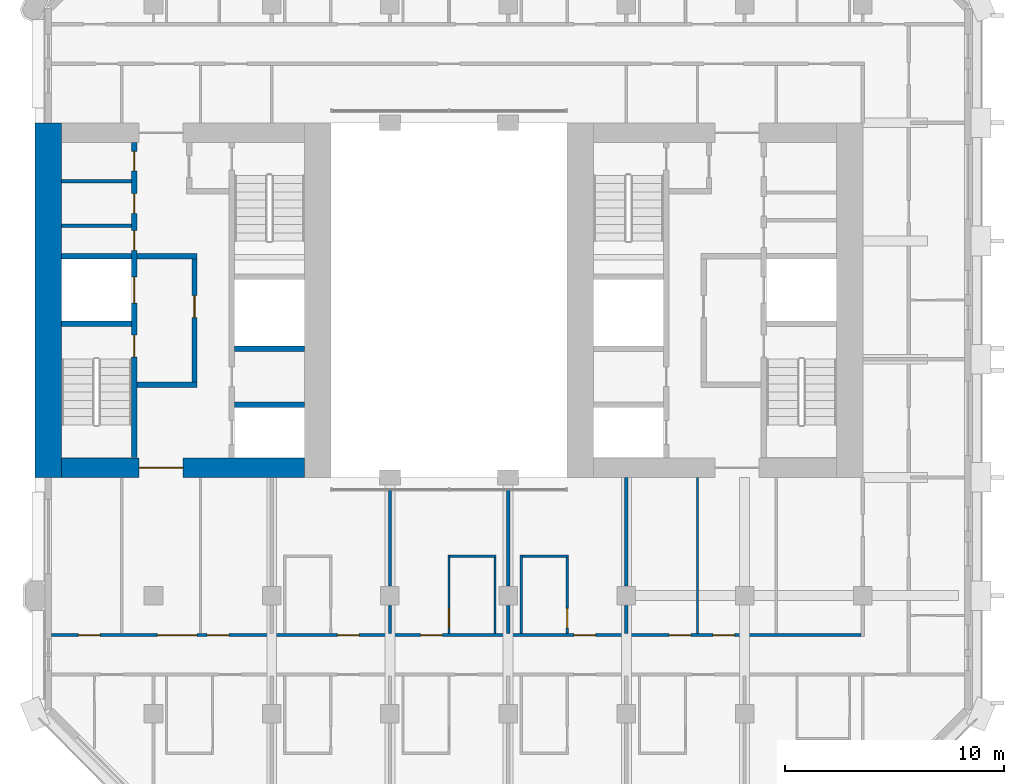
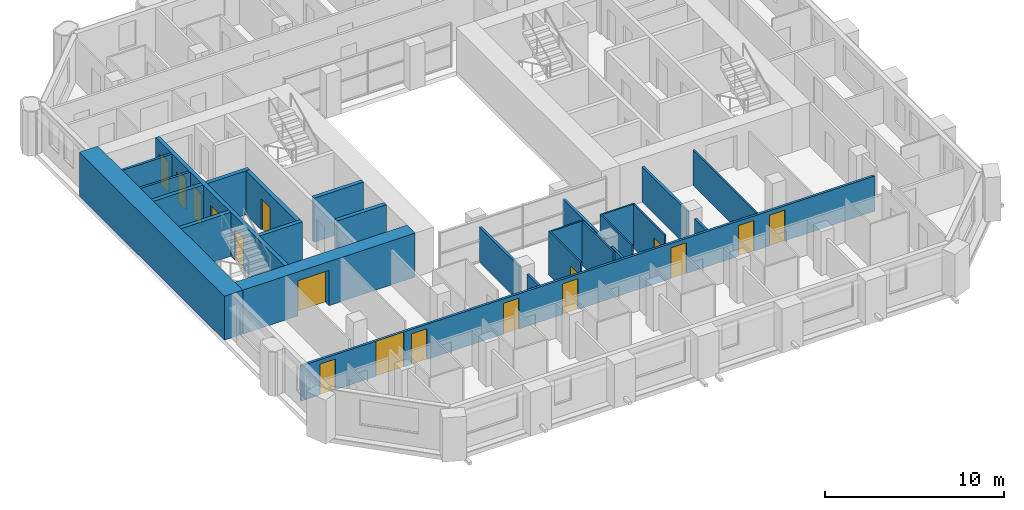
# One storey, part 7 of 13: 26 walls, 17 doors, 17 openings.
"""IFC4 building model written with IfcOpenShell, lengths in metres."""

from ifc_helpers import new_model, si_unit, direction, frame, frame_2d, origin, place, context, subcontext, project, spatial, rectangle, extrude, material, layer, layer_set, type_object, element, fill, save


model = new_model("IFC4")

# Units and contexts
model_context = context("Model", 3, precision=1e-05, world=origin(), true_north=direction((0.0, 1.0)))
body_context = subcontext(model_context, "Body", "Model", "MODEL_VIEW")
ifc_project = project(units=[si_unit("LENGTHUNIT", "METRE"), si_unit("AREAUNIT", "SQUARE_METRE"), si_unit("VOLUMEUNIT", "CUBIC_METRE"), si_unit("PLANEANGLEUNIT", "RADIAN"), si_unit("MASSUNIT", "GRAM", prefix="KILO")], contexts=[model_context])

# Site, building, storey
site_placement = place(None, origin())
site = spatial("IfcSite", under=ifc_project, at=site_placement, CompositionType="ELEMENT")
building_placement = place(site_placement, origin())
building = spatial("IfcBuilding", under=site, at=building_placement, Name="Tabaq Tower and Sports Hall", CompositionType="ELEMENT")
storey_placement = place(building_placement, frame((0.0, 0.0, 159.39990234375)))
storey = spatial("IfcBuildingStorey", under=building, at=storey_placement, Name="L37", CompositionType="ELEMENT", Elevation=159.39990234375)

# Walls
ifc_material_1 = material(Name="Blockwork", Category="masonry")
ifc_layer_1 = layer(ifc_material_1, 0.14990234375)
ifc_layer_set_1 = layer_set([ifc_layer_1], Name="Core room partition 150 Blockwork")
wall_type_1 = type_object("IfcWallType", Name="Core room partition 150 Blockwork", PredefinedType="PARTITIONING", material=ifc_layer_set_1)
for number, where, z_axis, x_axis, name in (
    (1, (6.60009765625, 27.694091796875, 0.0), (0.0, 0.0, 1.0), (1.0, 0.0, 0.0), "Core room partition W L37"),
    (2, (6.60009765625, 29.72412109375, 0.0), (0.0, 0.0, 1.0), (1.0, 0.0, 0.0), "Core room partition W L37"),
):
    element("IfcWall", number, at=place(storey_placement, frame(where, z_axis=z_axis, x_axis=x_axis)), inside=storey, type_object=wall_type_1, Name=name, PredefinedType="PARTITIONING", context=body_context, shape_type="SweptSolid", body=[
        extrude(rectangle(XDim=3.199951171875, YDim=0.14990234375, at=frame_2d((1.60009765625, 0.0))), origin(), (0.0, 0.0, 1.0), 3.0),
    ])
ifc_material_2 = material(Name="Concrete C50/60", Category="concrete")
ifc_layer_2 = layer(ifc_material_2, 1.199951171875)
ifc_layer_set_2 = layer_set([ifc_layer_2], Name="Core wall 1200 Concrete C50/60")
wall_type_2 = type_object("IfcWallType", Name="Core wall 1200 Concrete C50/60", PredefinedType="SOLIDWALL", material=ifc_layer_set_2)
wall_1_placement = place(storey_placement, frame((6.0, 16.199951171875, 0.0), z_axis=(0.0, 0.0, 1.0), x_axis=(0.0, 1.0, 0.0)))
element("IfcWall", 3, at=wall_1_placement, inside=storey, type_object=wall_type_2, Name="Core wall W L37", PredefinedType="SOLIDWALL", context=body_context, shape_type="SweptSolid", body=[
    extrude(rectangle(XDim=16.199951171875, YDim=1.199951171875, at=frame_2d((8.10009765625, 0.0))), origin(), (0.0, 0.0, 1.0), 3.0),
])

# Wall, opening, door
ifc_material_3 = material(Name="Concrete C50/60", Category="concrete")
ifc_layer_3 = layer(ifc_material_3, 0.89990234375)
ifc_layer_set_3 = layer_set([ifc_layer_3], Name="Core wall 900 Concrete C50/60")
wall_type_3 = type_object("IfcWallType", Name="Core wall 900 Concrete C50/60", PredefinedType="SOLIDWALL", material=ifc_layer_set_3)
wall_2_placement = place(storey_placement, frame((17.699951171875, 16.64990234375, 0.0), z_axis=(0.0, 0.0, 1.0), x_axis=(-1.0, 0.0, 0.0)))
wall_2 = element("IfcWall", 4, at=wall_2_placement, inside=storey, type_object=wall_type_3, Name="Core wall W L37", PredefinedType="SOLIDWALL", context=body_context, shape_type="SweptSolid", body=[
    extrude(rectangle(XDim=11.099853515625, YDim=0.89990234375, at=frame_2d((5.5498046875, 0.0))), origin(), (0.0, 0.0, 1.0), 3.0),
])
opening_1_placement = place(wall_2_placement, frame((5.550048828125, 0.0, 0.0)))
opening_1 = element("IfcOpeningElement", 5, at=opening_1_placement, cuts=wall_2, Name="Opening PD-WL37-01", PredefinedType="OPENING", context=body_context, shape_type="SweptSolid", body=[
    extrude(rectangle(XDim=2.0, YDim=2.39990234375, at=frame_2d((1.0, 1.199951171875))), frame((0.0, 0.449951171875, 0.0), z_axis=(0.0, -1.0, 0.0), x_axis=(1.0, 0.0, 0.0)), (0.0, 0.0, 1.0), 0.89990234375),
])
ifc_material_4 = material(Name="Steel fire door", Category="steel")
door_type_1 = type_object("IfcDoorType", Name="Core entrance door 2000", OperationType="DOUBLE_DOOR_SINGLE_SWING", PredefinedType="DOOR", material=ifc_material_4)
door_1_placement = place(opening_1_placement, origin())
door_1 = element("IfcDoor", 6, at=door_1_placement, inside=storey, type_object=door_type_1, Name="Core entrance south W L37", OperationType="DOUBLE_DOOR_SINGLE_SWING", OverallHeight=2.39990234375, OverallWidth=2.0, PredefinedType="DOOR", context=body_context, shape_type="SweptSolid", body=[
    extrude(rectangle(XDim=2.0, YDim=2.39990234375, at=frame_2d((1.0, 1.199951171875))), frame((0.0, 0.02490234375, 0.0), z_axis=(0.0, -1.0, 0.0), x_axis=(1.0, 0.0, 0.0)), (0.0, 0.0, 1.0), 0.050048828125),
])
fill(opening_1, door_1)

ifc_material_5 = material(Name="Gypsum board on steel studs", Category="steel")
ifc_layer_4 = layer(ifc_material_5, 0.10009765625)
ifc_layer_set_4 = layer_set([ifc_layer_4], Name="Partition 100 Gypsum board")
wall_type_4 = type_object("IfcWallType", Name="Partition 100 Gypsum board", PredefinedType="PARTITIONING", material=ifc_layer_set_4)
wall_3_placement = place(storey_placement, frame((24.300048828125, 9.074951171875, 0.0), z_axis=(0.0, 0.0, 1.0), x_axis=(0.0, 1.0, 0.0)))
wall_3 = element("IfcWall", 7, at=wall_3_placement, inside=storey, type_object=wall_type_4, Name="Partition wall L37", PredefinedType="PARTITIONING", context=body_context, shape_type="SweptSolid", body=[
    extrude(rectangle(XDim=3.574951171875, YDim=0.10009765625, at=frame_2d((1.78759765625, 0.0))), origin(), (0.0, 0.0, 1.0), 3.0),
])
opening_2_placement = place(wall_3_placement, frame((0.25, 0.0, 0.0)))
opening_2 = element("IfcOpeningElement", 8, at=opening_2_placement, cuts=wall_3, Name="Opening L37-015", PredefinedType="OPENING", context=body_context, shape_type="SweptSolid", body=[
    extrude(rectangle(XDim=0.89990234375, YDim=2.10009765625, at=frame_2d((0.449951171875, 1.050048828125))), frame((0.0, 0.050048828125, 0.0), z_axis=(0.0, -1.0, 0.0), x_axis=(1.0, 0.0, 0.0)), (0.0, 0.0, 1.0), 0.10009765625),
])
ifc_material_6 = material(Name="Timber leaf in steel frame", Category="steel")
door_type_2 = type_object("IfcDoorType", Name="Internal door 900 left hand", OperationType="SINGLE_SWING_LEFT", PredefinedType="DOOR", material=ifc_material_6)
door_2_placement = place(opening_2_placement, origin())
door_2 = element("IfcDoor", 9, at=door_2_placement, inside=storey, type_object=door_type_2, Name="Internal door L37-015", OperationType="SINGLE_SWING_LEFT", OverallHeight=2.10009765625, OverallWidth=0.89990234375, PredefinedType="DOOR", context=body_context, shape_type="SweptSolid", body=[
    extrude(rectangle(XDim=0.89990234375, YDim=2.10009765625, at=frame_2d((0.449951171875, 1.050048828125))), frame((0.0, 0.02490234375, 0.0), z_axis=(0.0, -1.0, 0.0), x_axis=(1.0, 0.0, 0.0)), (0.0, 0.0, 1.0), 0.050048828125),
])
fill(opening_2, door_2)

# Walls
wall_4_placement = place(storey_placement, frame((24.35009765625, 12.60009765625, 0.0), z_axis=(0.0, 0.0, 1.0), x_axis=(1.0, 0.0, 0.0)))
element("IfcWall", 10, at=wall_4_placement, inside=storey, type_object=wall_type_4, Name="Partition wall L37", PredefinedType="PARTITIONING", context=body_context, shape_type="SweptSolid", body=[
    extrude(rectangle(XDim=2.099853515625, YDim=0.10009765625, at=frame_2d((1.0498046875, 0.0))), origin(), (0.0, 0.0, 1.0), 3.0),
])
wall_5_placement = place(storey_placement, frame((26.39990234375, 12.550048828125, 0.0), z_axis=(0.0, 0.0, 1.0), x_axis=(0.0, -1.0, 0.0)))
element("IfcWall", 11, at=wall_5_placement, inside=storey, type_object=wall_type_4, Name="Partition wall L37", PredefinedType="PARTITIONING", context=body_context, shape_type="SweptSolid", body=[
    extrude(rectangle(XDim=3.47509765625, YDim=0.10009765625, at=frame_2d((1.737548828125, 0.0))), origin(), (0.0, 0.0, 1.0), 3.0),
])
wall_6_placement = place(storey_placement, frame((27.60009765625, 9.074951171875, 0.0), z_axis=(0.0, 0.0, 1.0), x_axis=(0.0, 1.0, 0.0)))
element("IfcWall", 12, at=wall_6_placement, inside=storey, type_object=wall_type_4, Name="Partition wall L37", PredefinedType="PARTITIONING", context=body_context, shape_type="SweptSolid", body=[
    extrude(rectangle(XDim=3.574951171875, YDim=0.10009765625, at=frame_2d((1.78759765625, 0.0))), origin(), (0.0, 0.0, 1.0), 3.0),
])
wall_7_placement = place(storey_placement, frame((27.64990234375, 12.60009765625, 0.0), z_axis=(0.0, 0.0, 1.0), x_axis=(1.0, 0.0, 0.0)))
element("IfcWall", 13, at=wall_7_placement, inside=storey, type_object=wall_type_4, Name="Partition wall L37", PredefinedType="PARTITIONING", context=body_context, shape_type="SweptSolid", body=[
    extrude(rectangle(XDim=2.10009765625, YDim=0.10009765625, at=frame_2d((1.050048828125, 0.0))), origin(), (0.0, 0.0, 1.0), 3.0),
])

# Wall, opening, door
wall_8_placement = place(storey_placement, frame((29.699951171875, 12.550048828125, 0.0), z_axis=(0.0, 0.0, 1.0), x_axis=(0.0, -1.0, 0.0)))
wall_8 = element("IfcWall", 14, at=wall_8_placement, inside=storey, type_object=wall_type_4, Name="Partition wall L37", PredefinedType="PARTITIONING", context=body_context, shape_type="SweptSolid", body=[
    extrude(rectangle(XDim=3.47509765625, YDim=0.10009765625, at=frame_2d((1.737548828125, 0.0))), origin(), (0.0, 0.0, 1.0), 3.0),
])
opening_3_placement = place(wall_8_placement, frame((2.324951171875, 0.0, 0.0)))
opening_3 = element("IfcOpeningElement", 15, at=opening_3_placement, cuts=wall_8, Name="Opening L37-016", PredefinedType="OPENING", context=body_context, shape_type="SweptSolid", body=[
    extrude(rectangle(XDim=0.89990234375, YDim=2.10009765625, at=frame_2d((0.449951171875, 1.050048828125))), frame((0.0, 0.050048828125, 0.0), z_axis=(0.0, -1.0, 0.0), x_axis=(1.0, 0.0, 0.0)), (0.0, 0.0, 1.0), 0.10009765625),
])
ifc_material_7 = material(Name="Timber leaf in steel frame", Category="steel")
door_type_3 = type_object("IfcDoorType", Name="Internal door 900 right hand", OperationType="SINGLE_SWING_RIGHT", PredefinedType="DOOR", material=ifc_material_7)
door_3_placement = place(opening_3_placement, origin())
door_3 = element("IfcDoor", 16, at=door_3_placement, inside=storey, type_object=door_type_3, Name="Internal door L37-016", OperationType="SINGLE_SWING_RIGHT", OverallHeight=2.10009765625, OverallWidth=0.89990234375, PredefinedType="DOOR", context=body_context, shape_type="SweptSolid", body=[
    extrude(rectangle(XDim=0.89990234375, YDim=2.10009765625, at=frame_2d((0.449951171875, 1.050048828125))), frame((0.0, 0.02490234375, 0.0), z_axis=(0.0, -1.0, 0.0), x_axis=(1.0, 0.0, 0.0)), (0.0, 0.0, 1.0), 0.050048828125),
])
fill(opening_3, door_3)

# Walls
wall_9_placement = place(storey_placement, frame((35.64990234375, 16.199951171875, 0.0), z_axis=(0.0, 0.0, 1.0), x_axis=(0.0, -1.0, 0.0)))
element("IfcWall", 17, at=wall_9_placement, inside=storey, type_object=wall_type_4, Name="Partition wall L37", PredefinedType="PARTITIONING", context=body_context, shape_type="SweptSolid", body=[
    extrude(rectangle(XDim=7.125, YDim=0.10009765625, at=frame_2d((3.5625, 0.0))), origin(), (0.0, 0.0, 1.0), 2.400146484375),
])
ifc_material_8 = material(Name="Blockwork", Category="masonry")
ifc_layer_5 = layer(ifc_material_8, 0.14990234375)
ifc_layer_set_5 = layer_set([ifc_layer_5], Name="Separating wall 150 Blockwork")
wall_type_5 = type_object("IfcWallType", Name="Separating wall 150 Blockwork", PredefinedType="PARTITIONING", material=ifc_layer_set_5)
wall_10_placement = place(storey_placement, frame((21.60009765625, 9.074951171875, 0.0), z_axis=(0.0, 0.0, 1.0), x_axis=(0.0, 1.0, 0.0)))
element("IfcWall", 18, at=wall_10_placement, inside=storey, type_object=wall_type_5, Name="Separating wall L37", PredefinedType="PARTITIONING", context=body_context, shape_type="SweptSolid", body=[
    extrude(rectangle(XDim=1.280029296875, YDim=0.14990234375, at=frame_2d((0.64013671875, 0.0))), origin(), (0.0, 0.0, 1.0), 2.400146484375),
])
wall_11_placement = place(storey_placement, frame((21.60009765625, 11.2451171875, 0.0), z_axis=(0.0, 0.0, 1.0), x_axis=(0.0, 1.0, 0.0)))
element("IfcWall", 19, at=wall_11_placement, inside=storey, type_object=wall_type_5, Name="Separating wall L37", PredefinedType="PARTITIONING", context=body_context, shape_type="SweptSolid", body=[
    extrude(rectangle(XDim=4.4599609375, YDim=0.14990234375, at=frame_2d((2.22998046875, 0.0))), origin(), (0.0, 0.0, 1.0), 2.400146484375),
])
wall_12_placement = place(storey_placement, frame((27.0, 9.074951171875, 0.0), z_axis=(0.0, 0.0, 1.0), x_axis=(0.0, 1.0, 0.0)))
element("IfcWall", 20, at=wall_12_placement, inside=storey, type_object=wall_type_5, Name="Separating wall L37", PredefinedType="PARTITIONING", context=body_context, shape_type="SweptSolid", body=[
    extrude(rectangle(XDim=1.280029296875, YDim=0.14990234375, at=frame_2d((0.64013671875, 0.0))), origin(), (0.0, 0.0, 1.0), 2.400146484375),
])
wall_13_placement = place(storey_placement, frame((27.0, 11.2451171875, 0.0), z_axis=(0.0, 0.0, 1.0), x_axis=(0.0, 1.0, 0.0)))
element("IfcWall", 21, at=wall_13_placement, inside=storey, type_object=wall_type_5, Name="Separating wall L37", PredefinedType="PARTITIONING", context=body_context, shape_type="SweptSolid", body=[
    extrude(rectangle(XDim=4.4599609375, YDim=0.14990234375, at=frame_2d((2.22998046875, 0.0))), origin(), (0.0, 0.0, 1.0), 2.400146484375),
])
wall_14_placement = place(storey_placement, frame((32.39990234375, 9.074951171875, 0.0), z_axis=(0.0, 0.0, 1.0), x_axis=(0.0, 1.0, 0.0)))
element("IfcWall", 22, at=wall_14_placement, inside=storey, type_object=wall_type_5, Name="Separating wall L37", PredefinedType="PARTITIONING", context=body_context, shape_type="SweptSolid", body=[
    extrude(rectangle(XDim=1.280029296875, YDim=0.14990234375, at=frame_2d((0.64013671875, 0.0))), origin(), (0.0, 0.0, 1.0), 2.400146484375),
])
wall_15_placement = place(storey_placement, frame((32.39990234375, 11.2451171875, 0.0), z_axis=(0.0, 0.0, 1.0), x_axis=(0.0, 1.0, 0.0)))
element("IfcWall", 23, at=wall_15_placement, inside=storey, type_object=wall_type_5, Name="Separating wall L37", PredefinedType="PARTITIONING", context=body_context, shape_type="SweptSolid", body=[
    extrude(rectangle(XDim=4.954833984375, YDim=0.14990234375, at=frame_2d((2.4775390625, 0.0))), origin(), (0.0, 0.0, 1.0), 2.400146484375),
])

# Wall, openings, doors
wall_16_placement = place(storey_placement, frame((6.15087890625, 9.0, 0.0), z_axis=(0.0, 0.0, 1.0), x_axis=(1.0, 0.0, 0.0)))
wall_16 = element("IfcWall", 24, at=wall_16_placement, inside=storey, type_object=wall_type_5, Name="Separating wall L37", PredefinedType="PARTITIONING", context=body_context, shape_type="SweptSolid", body=[
    extrude(rectangle(XDim=36.97412109375, YDim=0.14990234375, at=frame_2d((18.487060546875, 0.0))), origin(), (0.0, 0.0, 1.0), 2.400146484375),
])
opening_4_placement = place(wall_16_placement, frame((1.214111328125, 0.0, 0.0)))
opening_4 = element("IfcOpeningElement", 25, at=opening_4_placement, cuts=wall_16, Name="Opening L37-026", PredefinedType="OPENING", context=body_context, shape_type="SweptSolid", body=[
    extrude(rectangle(XDim=1.0, YDim=2.10009765625, at=frame_2d((0.5, 1.050048828125))), frame((0.0, 0.074951171875, 0.0), z_axis=(0.0, -1.0, 0.0), x_axis=(1.0, 0.0, 0.0)), (0.0, 0.0, 1.0), 0.14990234375),
])
opening_5_placement = place(wall_16_placement, frame((28.198974609375, 0.0, 0.0)))
opening_5 = element("IfcOpeningElement", 26, at=opening_5_placement, cuts=wall_16, Name="Opening L37-027", PredefinedType="OPENING", context=body_context, shape_type="SweptSolid", body=[
    extrude(rectangle(XDim=1.0, YDim=2.10009765625, at=frame_2d((0.5, 1.050048828125))), frame((0.0, 0.074951171875, 0.0), z_axis=(0.0, -1.0, 0.0), x_axis=(1.0, 0.0, 0.0)), (0.0, 0.0, 1.0), 0.14990234375),
])
opening_6_placement = place(wall_16_placement, frame((7.09912109375, 0.0, 0.0)))
opening_6 = element("IfcOpeningElement", 27, at=opening_6_placement, cuts=wall_16, Name="Opening L37-029", PredefinedType="OPENING", context=body_context, shape_type="SweptSolid", body=[
    extrude(rectangle(XDim=1.0, YDim=2.10009765625, at=frame_2d((0.5, 1.050048828125))), frame((0.0, 0.074951171875, 0.0), z_axis=(0.0, -1.0, 0.0), x_axis=(1.0, 0.0, 0.0)), (0.0, 0.0, 1.0), 0.14990234375),
])
opening_7_placement = place(wall_16_placement, frame((13.049072265625, 0.0, 0.0)))
opening_7 = element("IfcOpeningElement", 28, at=opening_7_placement, cuts=wall_16, Name="Opening L37-041", PredefinedType="OPENING", context=body_context, shape_type="SweptSolid", body=[
    extrude(rectangle(XDim=1.0, YDim=2.10009765625, at=frame_2d((0.5, 1.050048828125))), frame((0.0, 0.074951171875, 0.0), z_axis=(0.0, -1.0, 0.0), x_axis=(1.0, 0.0, 0.0)), (0.0, 0.0, 1.0), 0.14990234375),
])
opening_8_placement = place(wall_16_placement, frame((16.84912109375, 0.0, 0.0)))
opening_8 = element("IfcOpeningElement", 29, at=opening_8_placement, cuts=wall_16, Name="Opening L37-042", PredefinedType="OPENING", context=body_context, shape_type="SweptSolid", body=[
    extrude(rectangle(XDim=1.0, YDim=2.10009765625, at=frame_2d((0.5, 1.050048828125))), frame((0.0, 0.074951171875, 0.0), z_axis=(0.0, -1.0, 0.0), x_axis=(1.0, 0.0, 0.0)), (0.0, 0.0, 1.0), 0.14990234375),
])
opening_9_placement = place(wall_16_placement, frame((23.84912109375, 0.0, 0.0)))
opening_9 = element("IfcOpeningElement", 30, at=opening_9_placement, cuts=wall_16, Name="Opening L37-043", PredefinedType="OPENING", context=body_context, shape_type="SweptSolid", body=[
    extrude(rectangle(XDim=1.0, YDim=2.10009765625, at=frame_2d((0.5, 1.050048828125))), frame((0.0, 0.074951171875, 0.0), z_axis=(0.0, -1.0, 0.0), x_axis=(1.0, 0.0, 0.0)), (0.0, 0.0, 1.0), 0.14990234375),
])
opening_10_placement = place(wall_16_placement, frame((4.8291015625, 0.0, 0.0)))
opening_10 = element("IfcOpeningElement", 31, at=opening_10_placement, cuts=wall_16, Name="Opening L37-053", PredefinedType="OPENING", context=body_context, shape_type="SweptSolid", body=[
    extrude(rectangle(XDim=1.800048828125, YDim=2.39990234375, at=frame_2d((0.89990234375, 1.199951171875))), frame((0.0, 0.074951171875, 0.0), z_axis=(0.0, -1.0, 0.0), x_axis=(1.0, 0.0, 0.0)), (0.0, 0.0, 1.0), 0.14990234375),
])
opening_11_placement = place(wall_16_placement, frame((30.198974609375, 0.0, 0.0)))
opening_11 = element("IfcOpeningElement", 32, at=opening_11_placement, cuts=wall_16, Name="Opening L37-054", PredefinedType="OPENING", context=body_context, shape_type="SweptSolid", body=[
    extrude(rectangle(XDim=1.0, YDim=2.10009765625, at=frame_2d((0.5, 1.050048828125))), frame((0.0, 0.074951171875, 0.0), z_axis=(0.0, -1.0, 0.0), x_axis=(1.0, 0.0, 0.0)), (0.0, 0.0, 1.0), 0.14990234375),
])
ifc_material_9 = material(Name="Steel fire door", Category="steel")
door_type_4 = type_object("IfcDoorType", Name="Entrance door 1000 left hand", OperationType="SINGLE_SWING_LEFT", PredefinedType="DOOR", material=ifc_material_9)
door_4_placement = place(opening_8_placement, origin())
door_4 = element("IfcDoor", 33, at=door_4_placement, inside=storey, type_object=door_type_4, Name="Entrance door L37-042", OperationType="SINGLE_SWING_LEFT", OverallHeight=2.10009765625, OverallWidth=1.0, PredefinedType="DOOR", context=body_context, shape_type="SweptSolid", body=[
    extrude(rectangle(XDim=1.0, YDim=2.10009765625, at=frame_2d((0.5, 1.050048828125))), frame((0.0, 0.02490234375, 0.0), z_axis=(0.0, -1.0, 0.0), x_axis=(1.0, 0.0, 0.0)), (0.0, 0.0, 1.0), 0.050048828125),
])
fill(opening_8, door_4)
ifc_material_10 = material(Name="Steel fire door", Category="steel")
door_type_5 = type_object("IfcDoorType", Name="Entrance door 1000 right hand", OperationType="SINGLE_SWING_RIGHT", PredefinedType="DOOR", material=ifc_material_10)
door_5_placement = place(opening_7_placement, origin())
door_5 = element("IfcDoor", 34, at=door_5_placement, inside=storey, type_object=door_type_5, Name="Entrance door L37-041", OperationType="SINGLE_SWING_RIGHT", OverallHeight=2.10009765625, OverallWidth=1.0, PredefinedType="DOOR", context=body_context, shape_type="SweptSolid", body=[
    extrude(rectangle(XDim=1.0, YDim=2.10009765625, at=frame_2d((0.5, 1.050048828125))), frame((0.0, 0.02490234375, 0.0), z_axis=(0.0, -1.0, 0.0), x_axis=(1.0, 0.0, 0.0)), (0.0, 0.0, 1.0), 0.050048828125),
])
fill(opening_7, door_5)
door_6_placement = place(opening_9_placement, origin())
door_6 = element("IfcDoor", 35, at=door_6_placement, inside=storey, type_object=door_type_5, Name="Entrance door L37-043", OperationType="SINGLE_SWING_RIGHT", OverallHeight=2.10009765625, OverallWidth=1.0, PredefinedType="DOOR", context=body_context, shape_type="SweptSolid", body=[
    extrude(rectangle(XDim=1.0, YDim=2.10009765625, at=frame_2d((0.5, 1.050048828125))), frame((0.0, 0.02490234375, 0.0), z_axis=(0.0, -1.0, 0.0), x_axis=(1.0, 0.0, 0.0)), (0.0, 0.0, 1.0), 0.050048828125),
])
fill(opening_9, door_6)
ifc_material_11 = material(Name="Timber leaf in steel frame", Category="steel")
door_type_6 = type_object("IfcDoorType", Name="Internal door 1000 left hand", OperationType="SINGLE_SWING_LEFT", PredefinedType="DOOR", material=ifc_material_11)
door_7_placement = place(opening_4_placement, origin())
door_7 = element("IfcDoor", 36, at=door_7_placement, inside=storey, type_object=door_type_6, Name="Internal door L37-026", OperationType="SINGLE_SWING_LEFT", OverallHeight=2.10009765625, OverallWidth=1.0, PredefinedType="DOOR", context=body_context, shape_type="SweptSolid", body=[
    extrude(rectangle(XDim=1.0, YDim=2.10009765625, at=frame_2d((0.5, 1.050048828125))), frame((0.0, 0.02490234375, 0.0), z_axis=(0.0, -1.0, 0.0), x_axis=(1.0, 0.0, 0.0)), (0.0, 0.0, 1.0), 0.050048828125),
])
fill(opening_4, door_7)
door_8_placement = place(opening_5_placement, origin())
door_8 = element("IfcDoor", 37, at=door_8_placement, inside=storey, type_object=door_type_6, Name="Internal door L37-027", OperationType="SINGLE_SWING_LEFT", OverallHeight=2.10009765625, OverallWidth=1.0, PredefinedType="DOOR", context=body_context, shape_type="SweptSolid", body=[
    extrude(rectangle(XDim=1.0, YDim=2.10009765625, at=frame_2d((0.5, 1.050048828125))), frame((0.0, 0.02490234375, 0.0), z_axis=(0.0, -1.0, 0.0), x_axis=(1.0, 0.0, 0.0)), (0.0, 0.0, 1.0), 0.050048828125),
])
fill(opening_5, door_8)
door_9_placement = place(opening_11_placement, origin())
door_9 = element("IfcDoor", 38, at=door_9_placement, inside=storey, type_object=door_type_6, Name="Internal door L37-054", OperationType="SINGLE_SWING_LEFT", OverallHeight=2.10009765625, OverallWidth=1.0, PredefinedType="DOOR", context=body_context, shape_type="SweptSolid", body=[
    extrude(rectangle(XDim=1.0, YDim=2.10009765625, at=frame_2d((0.5, 1.050048828125))), frame((0.0, 0.02490234375, 0.0), z_axis=(0.0, -1.0, 0.0), x_axis=(1.0, 0.0, 0.0)), (0.0, 0.0, 1.0), 0.050048828125),
])
fill(opening_11, door_9)
ifc_material_12 = material(Name="Timber leaf in steel frame", Category="steel")
door_type_7 = type_object("IfcDoorType", Name="Internal door 1000 right hand", OperationType="SINGLE_SWING_RIGHT", PredefinedType="DOOR", material=ifc_material_12)
door_10_placement = place(opening_6_placement, origin())
door_10 = element("IfcDoor", 39, at=door_10_placement, inside=storey, type_object=door_type_7, Name="Internal door L37-029", OperationType="SINGLE_SWING_RIGHT", OverallHeight=2.10009765625, OverallWidth=1.0, PredefinedType="DOOR", context=body_context, shape_type="SweptSolid", body=[
    extrude(rectangle(XDim=1.0, YDim=2.10009765625, at=frame_2d((0.5, 1.050048828125))), frame((0.0, 0.02490234375, 0.0), z_axis=(0.0, -1.0, 0.0), x_axis=(1.0, 0.0, 0.0)), (0.0, 0.0, 1.0), 0.050048828125),
])
fill(opening_6, door_10)
ifc_material_13 = material(Name="Timber leaf in steel frame", Category="steel")
door_type_8 = type_object("IfcDoorType", Name="Internal door 1800", OperationType="DOUBLE_DOOR_SINGLE_SWING", PredefinedType="DOOR", material=ifc_material_13)
door_11_placement = place(opening_10_placement, origin())
door_11 = element("IfcDoor", 40, at=door_11_placement, inside=storey, type_object=door_type_8, Name="Internal door L37-053", OperationType="DOUBLE_DOOR_SINGLE_SWING", OverallHeight=2.39990234375, OverallWidth=1.800048828125, PredefinedType="DOOR", context=body_context, shape_type="SweptSolid", body=[
    extrude(rectangle(XDim=1.800048828125, YDim=2.39990234375, at=frame_2d((0.89990234375, 1.199951171875))), frame((0.0, 0.02490234375, 0.0), z_axis=(0.0, -1.0, 0.0), x_axis=(1.0, 0.0, 0.0)), (0.0, 0.0, 1.0), 0.050048828125),
])
fill(opening_10, door_11)

ifc_material_14 = material(Name="Concrete C40/50", Category="concrete")
ifc_layer_6 = layer(ifc_material_14, 0.25)
ifc_layer_set_6 = layer_set([ifc_layer_6], Name="Shaft and stair wall 250 Concrete C40/50")
wall_type_6 = type_object("IfcWallType", Name="Shaft and stair wall 250 Concrete C40/50", PredefinedType="SOLIDWALL", material=ifc_layer_set_6)
wall_17_placement = place(storey_placement, frame((9.925048828125, 17.10009765625, 0.0), z_axis=(0.0, 0.0, 1.0), x_axis=(0.0, 1.0, 0.0)))
wall_17 = element("IfcWall", 41, at=wall_17_placement, inside=storey, type_object=wall_type_6, Name="Shaft wall W L37", PredefinedType="SOLIDWALL", context=body_context, shape_type="SweptSolid", body=[
    extrude(rectangle(XDim=14.39990234375, YDim=0.25, at=frame_2d((7.199951171875, 0.0))), origin(), (0.0, 0.0, 1.0), 3.0),
])
opening_12_placement = place(wall_17_placement, frame((4.60009765625, 0.0, 0.0)))
opening_12 = element("IfcOpeningElement", 42, at=opening_12_placement, cuts=wall_17, Name="Opening SD-WL37-03", PredefinedType="OPENING", context=body_context, shape_type="SweptSolid", body=[
    extrude(rectangle(XDim=1.0, YDim=2.10009765625, at=frame_2d((0.5, 1.050048828125))), frame((0.0, 0.125, 0.0), z_axis=(0.0, -1.0, 0.0), x_axis=(1.0, 0.0, 0.0)), (0.0, 0.0, 1.0), 0.25),
])
opening_13_placement = place(wall_17_placement, frame((7.0625, 0.0, 0.0)))
opening_13 = element("IfcOpeningElement", 43, at=opening_13_placement, cuts=wall_17, Name="Opening LD-FF1-L37", PredefinedType="OPENING", context=body_context, shape_type="SweptSolid", body=[
    extrude(rectangle(XDim=1.199951171875, YDim=2.10009765625, at=frame_2d((0.60009765625, 1.050048828125))), frame((0.0, 0.125, 0.0), z_axis=(0.0, -1.0, 0.0), x_axis=(1.0, 0.0, 0.0)), (0.0, 0.0, 1.0), 0.25),
])
opening_14_placement = place(wall_17_placement, frame((9.471923828125, 0.0, 0.0)))
opening_14 = element("IfcOpeningElement", 44, at=opening_14_placement, cuts=wall_17, Name="Opening RD-WL37-09", PredefinedType="OPENING", context=body_context, shape_type="SweptSolid", body=[
    extrude(rectangle(XDim=0.89990234375, YDim=2.10009765625, at=frame_2d((0.449951171875, 1.050048828125))), frame((0.0, 0.125, 0.0), z_axis=(0.0, -1.0, 0.0), x_axis=(1.0, 0.0, 0.0)), (0.0, 0.0, 1.0), 0.25),
])
opening_15_placement = place(wall_17_placement, frame((11.158935546875, 0.0, 0.0)))
opening_15 = element("IfcOpeningElement", 45, at=opening_15_placement, cuts=wall_17, Name="Opening RD-WL37-10", PredefinedType="OPENING", context=body_context, shape_type="SweptSolid", body=[
    extrude(rectangle(XDim=0.89990234375, YDim=2.10009765625, at=frame_2d((0.449951171875, 1.050048828125))), frame((0.0, 0.125, 0.0), z_axis=(0.0, -1.0, 0.0), x_axis=(1.0, 0.0, 0.0)), (0.0, 0.0, 1.0), 0.25),
])
opening_16_placement = place(wall_17_placement, frame((13.099609375, 0.0, 0.0)))
opening_16 = element("IfcOpeningElement", 46, at=opening_16_placement, cuts=wall_17, Name="Opening RD-WL37-11", PredefinedType="OPENING", context=body_context, shape_type="SweptSolid", body=[
    extrude(rectangle(XDim=0.89990234375, YDim=2.10009765625, at=frame_2d((0.449951171875, 1.050048828125))), frame((0.0, 0.125, 0.0), z_axis=(0.0, -1.0, 0.0), x_axis=(1.0, 0.0, 0.0)), (0.0, 0.0, 1.0), 0.25),
])
ifc_material_15 = material(Name="Steel fire door", Category="steel")
door_type_9 = type_object("IfcDoorType", Name="Core room door 900", OperationType="SINGLE_SWING_LEFT", PredefinedType="DOOR", material=ifc_material_15)
door_12_placement = place(opening_14_placement, origin())
door_12 = element("IfcDoor", 47, at=door_12_placement, inside=storey, type_object=door_type_9, Name="Door Electrical Riser Room W L37", OperationType="SINGLE_SWING_LEFT", OverallHeight=2.10009765625, OverallWidth=0.89990234375, PredefinedType="DOOR", context=body_context, shape_type="SweptSolid", body=[
    extrude(rectangle(XDim=0.89990234375, YDim=2.10009765625, at=frame_2d((0.449951171875, 1.050048828125))), frame((0.0, 0.02490234375, 0.0), z_axis=(0.0, -1.0, 0.0), x_axis=(1.0, 0.0, 0.0)), (0.0, 0.0, 1.0), 0.050048828125),
])
fill(opening_14, door_12)
door_13_placement = place(opening_15_placement, origin())
door_13 = element("IfcDoor", 48, at=door_13_placement, inside=storey, type_object=door_type_9, Name="Door Unisex WC W L37", OperationType="SINGLE_SWING_LEFT", OverallHeight=2.10009765625, OverallWidth=0.89990234375, PredefinedType="DOOR", context=body_context, shape_type="SweptSolid", body=[
    extrude(rectangle(XDim=0.89990234375, YDim=2.10009765625, at=frame_2d((0.449951171875, 1.050048828125))), frame((0.0, 0.02490234375, 0.0), z_axis=(0.0, -1.0, 0.0), x_axis=(1.0, 0.0, 0.0)), (0.0, 0.0, 1.0), 0.050048828125),
])
fill(opening_15, door_13)
door_14_placement = place(opening_16_placement, origin())
door_14 = element("IfcDoor", 49, at=door_14_placement, inside=storey, type_object=door_type_9, Name="Door Accessible WC W L37", OperationType="SINGLE_SWING_LEFT", OverallHeight=2.10009765625, OverallWidth=0.89990234375, PredefinedType="DOOR", context=body_context, shape_type="SweptSolid", body=[
    extrude(rectangle(XDim=0.89990234375, YDim=2.10009765625, at=frame_2d((0.449951171875, 1.050048828125))), frame((0.0, 0.02490234375, 0.0), z_axis=(0.0, -1.0, 0.0), x_axis=(1.0, 0.0, 0.0)), (0.0, 0.0, 1.0), 0.050048828125),
])
fill(opening_16, door_14)
ifc_material_16 = material(Name="Stainless steel", Category="steel")
door_type_10 = type_object("IfcDoorType", Name="Lift landing door 1200", OperationType="DOUBLE_DOOR_SLIDING", PredefinedType="DOOR", material=ifc_material_16)
door_15_placement = place(opening_13_placement, origin())
door_15 = element("IfcDoor", 50, at=door_15_placement, inside=storey, type_object=door_type_10, Name="Lift landing door FF1 W L37", OperationType="DOUBLE_DOOR_SLIDING", OverallHeight=2.10009765625, OverallWidth=1.199951171875, PredefinedType="DOOR", context=body_context, shape_type="SweptSolid", body=[
    extrude(rectangle(XDim=1.199951171875, YDim=2.10009765625, at=frame_2d((0.60009765625, 1.050048828125))), frame((0.0, 0.02490234375, 0.0), z_axis=(0.0, -1.0, 0.0), x_axis=(1.0, 0.0, 0.0)), (0.0, 0.0, 1.0), 0.050048828125),
])
fill(opening_13, door_15)
ifc_material_17 = material(Name="Steel fire door", Category="steel")
door_type_11 = type_object("IfcDoorType", Name="Stair door 1000", OperationType="SINGLE_SWING_LEFT", PredefinedType="DOOR", material=ifc_material_17)
door_16_placement = place(opening_12_placement, origin())
door_16 = element("IfcDoor", 51, at=door_16_placement, inside=storey, type_object=door_type_11, Name="Stair door ST1 W L37", OperationType="SINGLE_SWING_LEFT", OverallHeight=2.10009765625, OverallWidth=1.0, PredefinedType="DOOR", context=body_context, shape_type="SweptSolid", body=[
    extrude(rectangle(XDim=1.0, YDim=2.10009765625, at=frame_2d((0.5, 1.050048828125))), frame((0.0, 0.02490234375, 0.0), z_axis=(0.0, -1.0, 0.0), x_axis=(1.0, 0.0, 0.0)), (0.0, 0.0, 1.0), 0.050048828125),
])
fill(opening_12, door_16)

# Walls
for number, where, z_axis, x_axis, name in (
    (52, (6.60009765625, 23.22509765625, 0.0), (0.0, 0.0, 1.0), (1.0, 0.0, 0.0), "Stair enclosure wall W L37"),
    (53, (14.5, 22.074951171875, 0.0), (0.0, 0.0, 1.0), (1.0, 0.0, 0.0), "Shaft wall W L37"),
    (54, (6.60009765625, 26.300048828125, 0.0), (0.0, 0.0, 1.0), (1.0, 0.0, 0.0), "Shaft wall W L37"),
):
    element("IfcWall", number, at=place(storey_placement, frame(where, z_axis=z_axis, x_axis=x_axis)), inside=storey, type_object=wall_type_6, Name=name, PredefinedType="SOLIDWALL", context=body_context, shape_type="SweptSolid", body=[
        extrude(rectangle(XDim=3.199951171875, YDim=0.25, at=frame_2d((1.60009765625, 0.0))), origin(), (0.0, 0.0, 1.0), 3.0),
    ])
for number, where, z_axis, x_axis, name in (
    (55, (10.050048828125, 26.300048828125, 0.0), (0.0, 0.0, 1.0), (1.0, 0.0, 0.0), "Fire-fighting lobby wall W L37"),
    (56, (10.050048828125, 20.425048828125, 0.0), (0.0, 0.0, 1.0), (1.0, 0.0, 0.0), "Fire-fighting lobby wall W L37"),
):
    element("IfcWall", number, at=place(storey_placement, frame(where, z_axis=z_axis, x_axis=x_axis)), inside=storey, type_object=wall_type_6, Name=name, PredefinedType="SOLIDWALL", context=body_context, shape_type="SweptSolid", body=[
        extrude(rectangle(XDim=2.75, YDim=0.25, at=frame_2d((1.375, 0.0))), origin(), (0.0, 0.0, 1.0), 3.0),
    ])

# Wall, opening, door
wall_18_placement = place(storey_placement, frame((12.675048828125, 20.550048828125, 0.0), z_axis=(0.0, 0.0, 1.0), x_axis=(0.0, 1.0, 0.0)))
wall_18 = element("IfcWall", 57, at=wall_18_placement, inside=storey, type_object=wall_type_6, Name="Fire-fighting lobby wall W L37", PredefinedType="SOLIDWALL", context=body_context, shape_type="SweptSolid", body=[
    extrude(rectangle(XDim=5.625, YDim=0.25, at=frame_2d((2.8125, 0.0))), origin(), (0.0, 0.0, 1.0), 3.0),
])
opening_17_placement = place(wall_18_placement, frame((2.949951171875, 0.0, 0.0)))
opening_17 = element("IfcOpeningElement", 58, at=opening_17_placement, cuts=wall_18, Name="Opening FD-WL37-04", PredefinedType="OPENING", context=body_context, shape_type="SweptSolid", body=[
    extrude(rectangle(XDim=1.0, YDim=2.10009765625, at=frame_2d((0.5, 1.050048828125))), frame((0.0, 0.125, 0.0), z_axis=(0.0, -1.0, 0.0), x_axis=(1.0, 0.0, 0.0)), (0.0, 0.0, 1.0), 0.25),
])
ifc_material_18 = material(Name="Steel fire door", Category="steel")
door_type_12 = type_object("IfcDoorType", Name="Fire-fighting lobby door 1000", OperationType="SINGLE_SWING_LEFT", PredefinedType="DOOR", material=ifc_material_18)
door_17_placement = place(opening_17_placement, origin())
door_17 = element("IfcDoor", 59, at=door_17_placement, inside=storey, type_object=door_type_12, Name="Fire-fighting lobby door W L37", OperationType="SINGLE_SWING_LEFT", OverallHeight=2.10009765625, OverallWidth=1.0, PredefinedType="DOOR", context=body_context, shape_type="SweptSolid", body=[
    extrude(rectangle(XDim=1.0, YDim=2.10009765625, at=frame_2d((0.5, 1.050048828125))), frame((0.0, 0.02490234375, 0.0), z_axis=(0.0, -1.0, 0.0), x_axis=(1.0, 0.0, 0.0)), (0.0, 0.0, 1.0), 0.050048828125),
])
fill(opening_17, door_17)

# Wall
wall_19_placement = place(storey_placement, frame((14.5, 19.52490234375, 0.0), z_axis=(0.0, 0.0, 1.0), x_axis=(1.0, 0.0, 0.0)))
element("IfcWall", 60, at=wall_19_placement, inside=storey, type_object=wall_type_6, Name="Shaft wall W L37", PredefinedType="SOLIDWALL", context=body_context, shape_type="SweptSolid", body=[
    extrude(rectangle(XDim=3.199951171875, YDim=0.25, at=frame_2d((1.60009765625, 0.0))), origin(), (0.0, 0.0, 1.0), 3.0),
])

save(model, "model.ifc")
